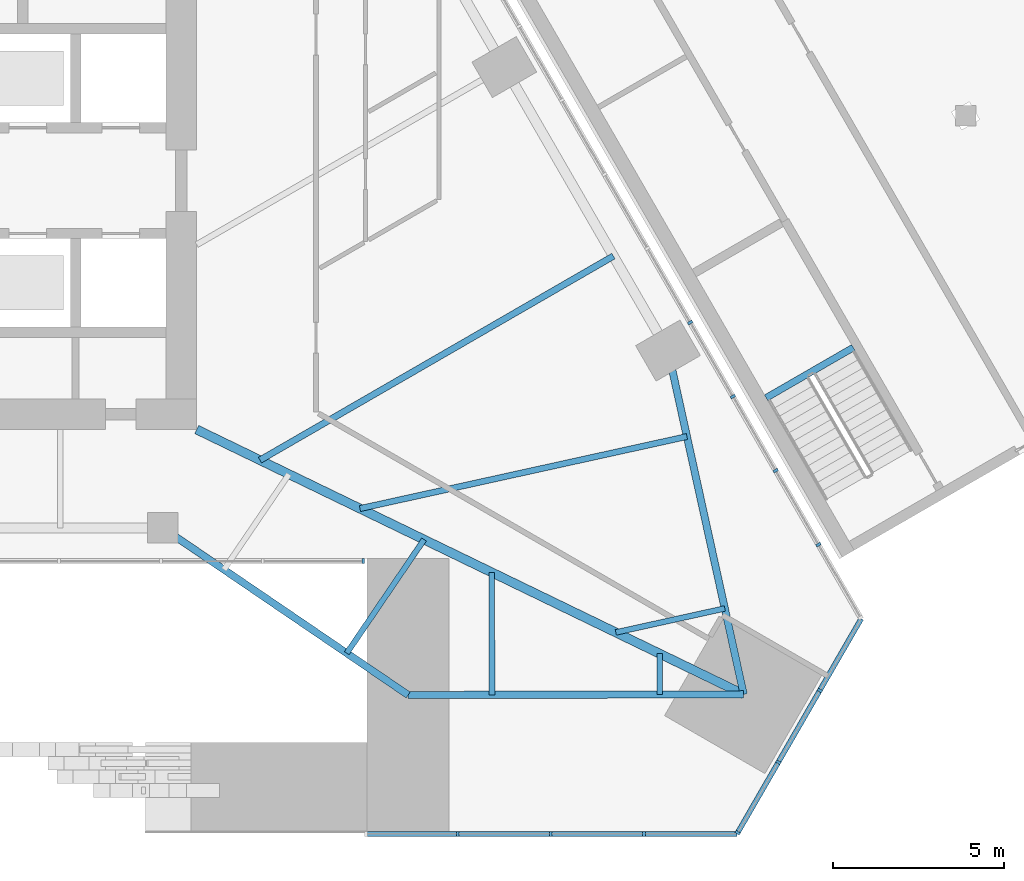
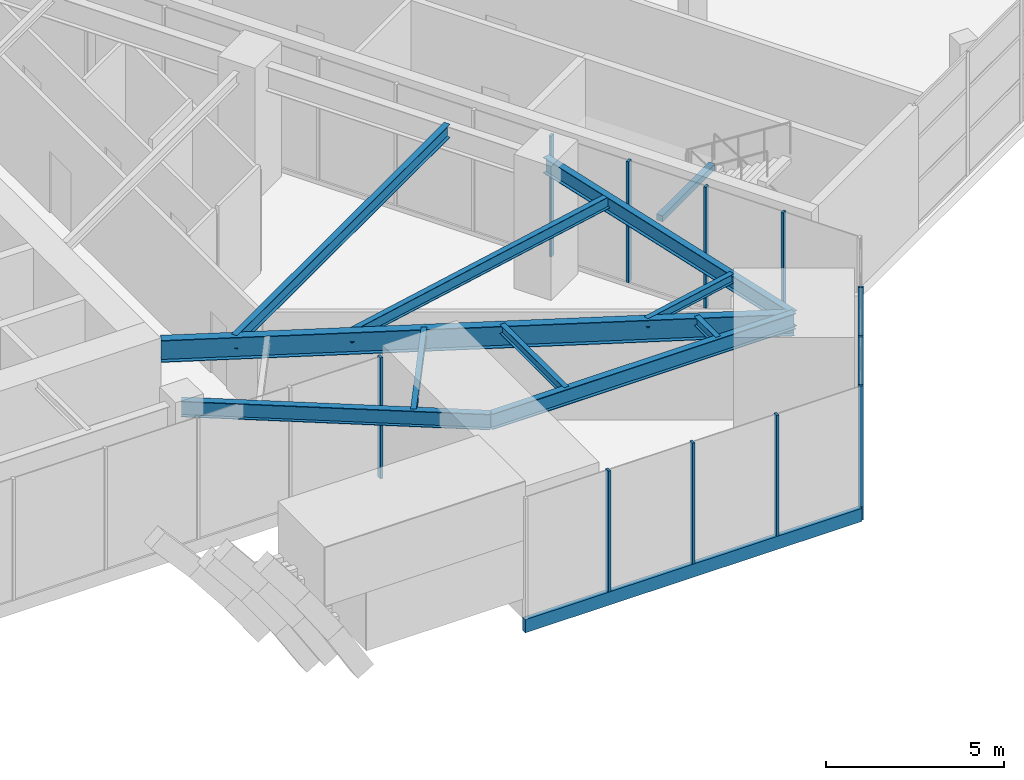
# One storey, part 7 of 29: 13 members, 11 beams, 4 elements without a shape of their own.
"""IFC4 building model written with IfcOpenShell, lengths in metres."""

from ifc_helpers import new_model, si_unit, direction, frame, origin, origin_2d, place, context, subcontext, project, spatial, rectangle, i_section, extrude, material, layer, layer_set, material_profile, profile_set, type_object, element, aggregate, save


model = new_model("IFC4")

# Units and contexts
model_context = context("Model", 3, precision=1e-05, world=origin(), true_north=direction((0.0, 1.0)))
body_context = subcontext(model_context, "Body", "Model", "MODEL_VIEW")
ifc_project = project(units=[si_unit("LENGTHUNIT", "METRE"), si_unit("AREAUNIT", "SQUARE_METRE"), si_unit("VOLUMEUNIT", "CUBIC_METRE"), si_unit("PLANEANGLEUNIT", "RADIAN"), si_unit("MASSUNIT", "GRAM", prefix="KILO")], contexts=[model_context])

# Site, building, storey
site_placement = place(None, origin())
site = spatial("IfcSite", under=ifc_project, at=site_placement, CompositionType="ELEMENT")
building_placement = place(site_placement, origin())
building = spatial("IfcBuilding", under=site, at=building_placement, Name="Firuza Gate Tower and Library", CompositionType="ELEMENT")
storey_placement = place(building_placement, frame((0.0, 0.0, 17.199951171875)))
storey = spatial("IfcBuildingStorey", under=building, at=storey_placement, Name="L03", CompositionType="ELEMENT", Elevation=17.199951171875)

# Curtain wall, member
ifc_material_1 = material(Name="Aluminium 6063-T6", Category="aluminium")
ifc_layer_1 = layer(ifc_material_1, 0.14990234375)
ifc_layer_set_1 = layer_set([ifc_layer_1], Name="Stick curtain wall, gate lobby")
curtain_wall_type_1 = type_object("IfcCurtainWallType", Name="Stick curtain wall, gate lobby", PredefinedType="NOTDEFINED", material=ifc_layer_set_1)
placement = place(storey_placement, origin())
curtain_wall_1 = element("IfcCurtainWall", 1, at=placement, inside=storey, type_object=curtain_wall_type_1, Name="CW7 L03 gate lobby", PredefinedType="NOTDEFINED")
ifc_material_2 = material(Name="Aluminium 6063-T6", Category="aluminium")
ifc_material_profile_1 = material_profile(ifc_material_2, rectangle(XDim=0.14990234375, YDim=0.080078125, at=origin_2d()))
ifc_profile_set_1 = profile_set([ifc_material_profile_1], Name="Aluminium 6063-T6")
member_type_1 = type_object("IfcMemberType", Name="Curtain wall mullion 80x150", PredefinedType="MULLION", material=ifc_profile_set_1)
member_1_placement = place(storey_placement, frame((92.885009765625, 62.140380859375, 0.150146484375), z_axis=(0.0, 0.0, 1.0), x_axis=(0.0, 1.0, 0.0)))
member_1 = element("IfcMember", 2, at=member_1_placement, type_object=member_type_1, Name="Mullion", PredefinedType="MULLION", context=body_context, shape_type="SweptSolid", body=[
    extrude(rectangle(XDim=0.14990234375, YDim=0.080078125, at=origin_2d()), origin(), (0.0, 0.0, 1.0), 4.14990234375),
])
aggregate(curtain_wall_1, [member_1])

# Curtain wall, members
ifc_material_3 = material(Name="Aluminium 6063-T6", Category="aluminium")
ifc_layer_2 = layer(ifc_material_3, 0.14990234375)
ifc_layer_set_2 = layer_set([ifc_layer_2], Name="Stick curtain wall, podium")
curtain_wall_type_2 = type_object("IfcCurtainWallType", Name="Stick curtain wall, podium", PredefinedType="NOTDEFINED", material=ifc_layer_set_2)
curtain_wall_2 = element("IfcCurtainWall", 3, at=placement, inside=storey, type_object=curtain_wall_type_2, Name="CW5 L03 S", PredefinedType="NOTDEFINED")
member_2_placement = place(storey_placement, frame((95.654541015625, 54.140380859375, 0.150146484375), z_axis=(0.0, 0.0, 1.0), x_axis=(0.0, 1.0, 0.0)))
member_2 = element("IfcMember", 4, at=member_2_placement, type_object=member_type_1, Name="Mullion", PredefinedType="MULLION", context=body_context, shape_type="SweptSolid", body=[
    extrude(rectangle(XDim=0.14990234375, YDim=0.080078125, at=origin_2d()), origin(), (0.0, 0.0, 1.0), 4.14990234375),
])
member_3_placement = place(storey_placement, frame((98.384033203125, 54.140380859375, 0.150146484375), z_axis=(0.0, 0.0, 1.0), x_axis=(0.0, 1.0, 0.0)))
member_3 = element("IfcMember", 5, at=member_3_placement, type_object=member_type_1, Name="Mullion", PredefinedType="MULLION", context=body_context, shape_type="SweptSolid", body=[
    extrude(rectangle(XDim=0.14990234375, YDim=0.080078125, at=origin_2d()), origin(), (0.0, 0.0, 1.0), 4.14990234375),
])
member_4_placement = place(storey_placement, frame((101.11376953125, 54.140380859375, 0.150146484375), z_axis=(0.0, 0.0, 1.0), x_axis=(0.0, 1.0, 0.0)))
member_4 = element("IfcMember", 6, at=member_4_placement, type_object=member_type_1, Name="Mullion", PredefinedType="MULLION", context=body_context, shape_type="SweptSolid", body=[
    extrude(rectangle(XDim=0.14990234375, YDim=0.080078125, at=origin_2d()), origin(), (0.0, 0.0, 1.0), 4.14990234375),
])

curtain_wall_3 = element("IfcCurtainWall", 7, at=placement, inside=storey, type_object=curtain_wall_type_2, Name="CW5 L03 SE", PredefinedType="NOTDEFINED")
member_5_placement = place(storey_placement, frame((103.86328125, 54.175048828125, 0.150146484375), z_axis=(0.0, 0.0, 1.0), x_axis=(-0.866025403784, 0.5, 0.0)))
member_5 = element("IfcMember", 8, at=member_5_placement, type_object=member_type_1, Name="Mullion", PredefinedType="MULLION", context=body_context, shape_type="SweptSolid", body=[
    extrude(rectangle(XDim=0.14990234375, YDim=0.080078125, at=origin_2d()), origin(), (0.0, 0.0, 1.0), 4.14990234375),
])
member_6_placement = place(storey_placement, frame((105.0576171875, 56.243896484375, 0.150146484375), z_axis=(0.0, 0.0, 1.0), x_axis=(-0.866025403784, 0.5, 0.0)))
member_6 = element("IfcMember", 9, at=member_6_placement, type_object=member_type_1, Name="Mullion", PredefinedType="MULLION", context=body_context, shape_type="SweptSolid", body=[
    extrude(rectangle(XDim=0.14990234375, YDim=0.080078125, at=origin_2d()), origin(), (0.0, 0.0, 1.0), 4.14990234375),
])
member_7_placement = place(storey_placement, frame((106.272216796875, 58.347412109375, 0.150146484375), z_axis=(0.0, 0.0, 1.0), x_axis=(-0.866025403784, 0.5, 0.0)))
member_7 = element("IfcMember", 10, at=member_7_placement, type_object=member_type_1, Name="Mullion", PredefinedType="MULLION", context=body_context, shape_type="SweptSolid", body=[
    extrude(rectangle(XDim=0.14990234375, YDim=0.080078125, at=origin_2d()), origin(), (0.0, 0.0, 1.0), 4.14990234375),
])

curtain_wall_4 = element("IfcCurtainWall", 11, at=placement, inside=storey, type_object=curtain_wall_type_2, Name="CW5 L03 E", PredefinedType="NOTDEFINED")
member_8_placement = place(storey_placement, frame((106.232666015625, 62.622802734375, 0.150146484375), z_axis=(0.0, 0.0, 1.0), x_axis=(-0.866025403784, -0.5, 0.0)))
member_8 = element("IfcMember", 12, at=member_8_placement, type_object=member_type_1, Name="Mullion", PredefinedType="MULLION", context=body_context, shape_type="SweptSolid", body=[
    extrude(rectangle(XDim=0.14990234375, YDim=0.080078125, at=origin_2d()), origin(), (0.0, 0.0, 1.0), 4.14990234375),
])
member_9_placement = place(storey_placement, frame((104.978515625, 64.794921875, 0.150146484375), z_axis=(0.0, 0.0, 1.0), x_axis=(-0.866025403784, -0.5, 0.0)))
member_9 = element("IfcMember", 13, at=member_9_placement, type_object=member_type_1, Name="Mullion", PredefinedType="MULLION", context=body_context, shape_type="SweptSolid", body=[
    extrude(rectangle(XDim=0.14990234375, YDim=0.080078125, at=origin_2d()), origin(), (0.0, 0.0, 1.0), 4.14990234375),
])
member_10_placement = place(storey_placement, frame((103.724365234375, 66.967041015625, 0.150146484375), z_axis=(0.0, 0.0, 1.0), x_axis=(-0.866025403784, -0.5, 0.0)))
member_10 = element("IfcMember", 14, at=member_10_placement, type_object=member_type_1, Name="Mullion", PredefinedType="MULLION", context=body_context, shape_type="SweptSolid", body=[
    extrude(rectangle(XDim=0.14990234375, YDim=0.080078125, at=origin_2d()), origin(), (0.0, 0.0, 1.0), 4.14990234375),
])
member_11_placement = place(storey_placement, frame((102.470458984375, 69.13916015625, 0.150146484375), z_axis=(0.0, 0.0, 1.0), x_axis=(-0.866025403784, -0.5, 0.0)))
member_11 = element("IfcMember", 15, at=member_11_placement, type_object=member_type_1, Name="Mullion", PredefinedType="MULLION", context=body_context, shape_type="SweptSolid", body=[
    extrude(rectangle(XDim=0.14990234375, YDim=0.080078125, at=origin_2d()), origin(), (0.0, 0.0, 1.0), 4.14990234375),
])
aggregate(curtain_wall_4, [member_8, member_9, member_10, member_11])

# Member
ifc_material_4 = material(Name="Aluminium 6063-T6", Category="aluminium")
ifc_material_profile_2 = material_profile(ifc_material_4, rectangle(XDim=0.14990234375, YDim=0.449951171875, at=origin_2d()))
ifc_profile_set_2 = profile_set([ifc_material_profile_2], Name="Aluminium 6063-T6")
member_type_2 = type_object("IfcMemberType", Name="Curtain wall transom 450x150", PredefinedType="USERDEFINED", material=ifc_profile_set_2)
member_12_placement = place(storey_placement, frame((92.925048828125, 54.140380859375, -0.074951171875), z_axis=(1.0, 0.0, 0.0), x_axis=(0.0, 1.0, 0.0)))
member_12 = element("IfcMember", 16, at=member_12_placement, type_object=member_type_2, Name="Transom", ObjectType="TRANSOM", PredefinedType="USERDEFINED", context=body_context, shape_type="SweptSolid", body=[
    extrude(rectangle(XDim=0.14990234375, YDim=0.449951171875, at=origin_2d()), origin(), (0.0, 0.0, 1.0), 10.918212890625),
])

aggregate(curtain_wall_2, [member_2, member_3, member_4, member_12])

member_13_placement = place(storey_placement, frame((103.84326171875, 54.140380859375, -0.074951171875), z_axis=(0.500005719219, 0.866022101766, 0.0), x_axis=(-0.866022101766, 0.500005719219, 0.0)))
member_13 = element("IfcMember", 17, at=member_13_placement, type_object=member_type_2, Name="Transom", ObjectType="TRANSOM", PredefinedType="USERDEFINED", context=body_context, shape_type="SweptSolid", body=[
    extrude(rectangle(XDim=0.14990234375, YDim=0.449951171875, at=origin_2d()), origin(), (0.0, 0.0, 1.0), 7.28662109375),
])

aggregate(curtain_wall_3, [member_5, member_6, member_7, member_13])

# Beams
ifc_material_5 = material(Name="Concrete C40/50", Category="concrete")
ifc_material_profile_3 = material_profile(ifc_material_5, rectangle(XDim=0.199951171875, YDim=0.199951171875, at=origin_2d()))
ifc_profile_set_3 = profile_set([ifc_material_profile_3], Name="Concrete C40/50")
beam_type_1 = type_object("IfcBeamType", Name="LIB LANDING BEARER 200X200", PredefinedType="BEAM", material=ifc_profile_set_3)
beam_1_placement = place(storey_placement, frame((107.254150390625, 68.4033203125, 2.0), z_axis=(-0.866003658127, -0.500037662692, 0.0), x_axis=(0.500037662692, -0.866003658127, 0.0)))
element("IfcBeam", 18, at=beam_1_placement, inside=storey, type_object=beam_type_1, Name="LIB-ST-B landing bearer L03", PredefinedType="BEAM", context=body_context, shape_type="SweptSolid", body=[
    extrude(rectangle(XDim=0.199951171875, YDim=0.199951171875, at=origin_2d()), origin(), (0.0, 0.0, 1.0), 2.949951171875),
])
ifc_material_6 = material(Name="Steel S355", Category="steel")
ifc_material_profile_4 = material_profile(ifc_material_6, i_section(OverallWidth=0.1650390625, OverallDepth=0.31005859375, WebThickness=0.005859375, FlangeThickness=0.009765625, at=origin_2d()))
ifc_profile_set_4 = profile_set([ifc_material_profile_4], Name="Steel S355")
beam_type_2 = type_object("IfcBeamType", Name="W310x39 Floor beam", PredefinedType="JOIST", material=ifc_profile_set_4)
beam_2_placement = place(storey_placement, frame((92.39990234375, 59.4404296875, 4.14501953125), z_axis=(0.562657973934, 0.826689787265, 0.0), x_axis=(-0.826689787265, 0.562657973934, 0.0)))
element("IfcBeam", 19, at=beam_2_placement, inside=storey, type_object=beam_type_2, Name="Floor beam L03 s41", PredefinedType="JOIST", context=body_context, shape_type="SweptSolid", body=[
    extrude(i_section(OverallWidth=0.1650390625, OverallDepth=0.31005859375, WebThickness=0.005859375, FlangeThickness=0.009765625, at=origin_2d()), origin(), (0.0, 0.0, 1.0), 4.02978515625),
])
beam_3_placement = place(storey_placement, frame((96.660400390625, 58.2197265625, 4.14501953125), z_axis=(-0.001836107072, 0.999998314354, 0.0), x_axis=(-0.999998314354, -0.001836107072, 0.0)))
element("IfcBeam", 20, at=beam_3_placement, inside=storey, type_object=beam_type_2, Name="Floor beam L03 s50", PredefinedType="JOIST", context=body_context, shape_type="SweptSolid", body=[
    extrude(i_section(OverallWidth=0.1650390625, OverallDepth=0.31005859375, WebThickness=0.005859375, FlangeThickness=0.009765625, at=origin_2d()), origin(), (0.0, 0.0, 1.0), 3.590087890625),
])
beam_4_placement = place(storey_placement, frame((101.580810546875, 58.228759765625, 4.14501953125), z_axis=(-0.00183635683, 0.999998313895, 0.0), x_axis=(-0.999998313895, -0.00183635683, 0.0)))
element("IfcBeam", 21, at=beam_4_placement, inside=storey, type_object=beam_type_2, Name="Floor beam L03 s51", PredefinedType="JOIST", context=body_context, shape_type="SweptSolid", body=[
    extrude(i_section(OverallWidth=0.1650390625, OverallDepth=0.31005859375, WebThickness=0.005859375, FlangeThickness=0.009765625, at=origin_2d()), origin(), (0.0, 0.0, 1.0), 1.196533203125),
])
beam_5_placement = place(storey_placement, frame((103.486083984375, 60.75341796875, 4.14501953125), z_axis=(-0.976601243751, -0.215058156564, 0.0), x_axis=(0.215058156564, -0.976601243751, 0.0)))
element("IfcBeam", 22, at=beam_5_placement, inside=storey, type_object=beam_type_2, Name="Floor beam L03 s60", PredefinedType="JOIST", context=body_context, shape_type="SweptSolid", body=[
    extrude(i_section(OverallWidth=0.1650390625, OverallDepth=0.31005859375, WebThickness=0.005859375, FlangeThickness=0.009765625, at=origin_2d()), origin(), (0.0, 0.0, 1.0), 3.27294921875),
])
ifc_material_7 = material(Name="Steel S355", Category="steel")
ifc_material_profile_5 = material_profile(ifc_material_7, i_section(OverallWidth=0.177978515625, OverallDepth=0.406982421875, WebThickness=0.0078125, FlangeThickness=0.0126953125, at=origin_2d()))
ifc_profile_set_5 = profile_set([ifc_material_profile_5], Name="Steel S355")
beam_type_3 = type_object("IfcBeamType", Name="W410x60 Floor beam", PredefinedType="JOIST", material=ifc_profile_set_5)
beam_6_placement = place(storey_placement, frame((102.375732421875, 65.794189453125, 4.096435546875), z_axis=(-0.97658964753, -0.215110809441, 0.0), x_axis=(0.215110809441, -0.97658964753, 0.0)))
element("IfcBeam", 23, at=beam_6_placement, inside=storey, type_object=beam_type_3, Name="Floor beam L03 s61", PredefinedType="JOIST", context=body_context, shape_type="SweptSolid", body=[
    extrude(i_section(OverallWidth=0.177978515625, OverallDepth=0.406982421875, WebThickness=0.0078125, FlangeThickness=0.0126953125, at=origin_2d()), origin(), (0.0, 0.0, 1.0), 9.818359375),
])
ifc_material_8 = material(Name="Steel S355", Category="steel")
ifc_material_profile_6 = material_profile(ifc_material_8, i_section(OverallWidth=0.18994140625, OverallDepth=0.45703125, WebThickness=0.009033203125, FlangeThickness=0.014404296875, at=origin_2d()))
ifc_profile_set_6 = profile_set([ifc_material_profile_6], Name="Steel S355")
beam_type_4 = type_object("IfcBeamType", Name="W460x74 Floor beam", PredefinedType="JOIST", material=ifc_profile_set_6)
beam_7_placement = place(storey_placement, frame((100.220458984375, 71.0859375, 4.071533203125), z_axis=(-0.866020154196, -0.500009092443, 0.0), x_axis=(0.500009092443, -0.866020154196, 0.0)))
element("IfcBeam", 24, at=beam_7_placement, inside=storey, type_object=beam_type_4, Name="Floor beam L03 s70", PredefinedType="JOIST", context=body_context, shape_type="SweptSolid", body=[
    extrude(i_section(OverallWidth=0.18994140625, OverallDepth=0.45703125, WebThickness=0.009033203125, FlangeThickness=0.014404296875, at=origin_2d()), origin(), (0.0, 0.0, 1.0), 11.968505859375),
])
ifc_material_9 = material(Name="Steel S355", Category="steel")
ifc_material_profile_7 = material_profile(ifc_material_9, i_section(OverallWidth=0.212890625, OverallDepth=0.5390625, WebThickness=0.01171875, FlangeThickness=0.018798828125, at=origin_2d()))
ifc_profile_set_7 = profile_set([ifc_material_profile_7], Name="Steel S355")
beam_type_5 = type_object("IfcBeamType", Name="W530x109 Edge beam", PredefinedType="SPANDREL", material=ifc_profile_set_7)
beam_8_placement = place(storey_placement, frame((87.0, 63.115478515625, 4.030517578125), z_axis=(0.826703281934, -0.562638146272, 0.0), x_axis=(0.562638146272, 0.826703281934, 0.0)))
element("IfcBeam", 25, at=beam_8_placement, inside=storey, type_object=beam_type_5, Name="Edge beam L03 e40", PredefinedType="SPANDREL", context=body_context, shape_type="SweptSolid", body=[
    extrude(i_section(OverallWidth=0.212890625, OverallDepth=0.5390625, WebThickness=0.01171875, FlangeThickness=0.018798828125, at=origin_2d()), origin(), (0.0, 0.0, 1.0), 8.709228515625),
])
beam_9_placement = place(storey_placement, frame((94.199951171875, 58.21533203125, 4.030517578125), z_axis=(0.999998360207, 0.001810962051, 0.0), x_axis=(-0.001810962051, 0.999998360207, 0.0)))
element("IfcBeam", 26, at=beam_9_placement, inside=storey, type_object=beam_type_5, Name="Edge beam L03 e50", PredefinedType="SPANDREL", context=body_context, shape_type="SweptSolid", body=[
    extrude(i_section(OverallWidth=0.212890625, OverallDepth=0.5390625, WebThickness=0.01171875, FlangeThickness=0.018798828125, at=origin_2d()), origin(), (0.0, 0.0, 1.0), 9.84130859375),
])
beam_10_placement = place(storey_placement, frame((104.041259765625, 58.233154296875, 4.030517578125), z_axis=(-0.215117130091, 0.976588255275, 0.0), x_axis=(-0.976588255275, -0.215117130091, 0.0)))
element("IfcBeam", 27, at=beam_10_placement, inside=storey, type_object=beam_type_5, Name="Edge beam L03 e60", PredefinedType="SPANDREL", context=body_context, shape_type="SweptSolid", body=[
    extrude(i_section(OverallWidth=0.212890625, OverallDepth=0.5390625, WebThickness=0.01171875, FlangeThickness=0.018798828125, at=origin_2d()), origin(), (0.0, 0.0, 1.0), 10.3232421875),
])
ifc_material_10 = material(Name="Steel S355", Category="steel")
ifc_material_profile_8 = material_profile(ifc_material_10, i_section(OverallWidth=0.264892578125, OverallDepth=0.7529296875, WebThickness=0.01318359375, FlangeThickness=0.01708984375, at=origin_2d()))
ifc_profile_set_8 = profile_set([ifc_material_profile_8], Name="Steel S355")
beam_type_6 = type_object("IfcBeamType", Name="W760x147 Girder", PredefinedType="BEAM", material=ifc_profile_set_8)
beam_11_placement = place(storey_placement, frame((104.041259765625, 58.233154296875, 3.923583984375), z_axis=(-0.900050421894, 0.43578577082, 0.0), x_axis=(-0.43578577082, -0.900050421894, 0.0)))
element("IfcBeam", 28, at=beam_11_placement, inside=storey, type_object=beam_type_6, Name="Girder L03 gSE", PredefinedType="BEAM", context=body_context, shape_type="SweptSolid", body=[
    extrude(i_section(OverallWidth=0.264892578125, OverallDepth=0.7529296875, WebThickness=0.01318359375, FlangeThickness=0.01708984375, at=origin_2d()), origin(), (0.0, 0.0, 1.0), 17.822509765625),
])

save(model, "model.ifc")
